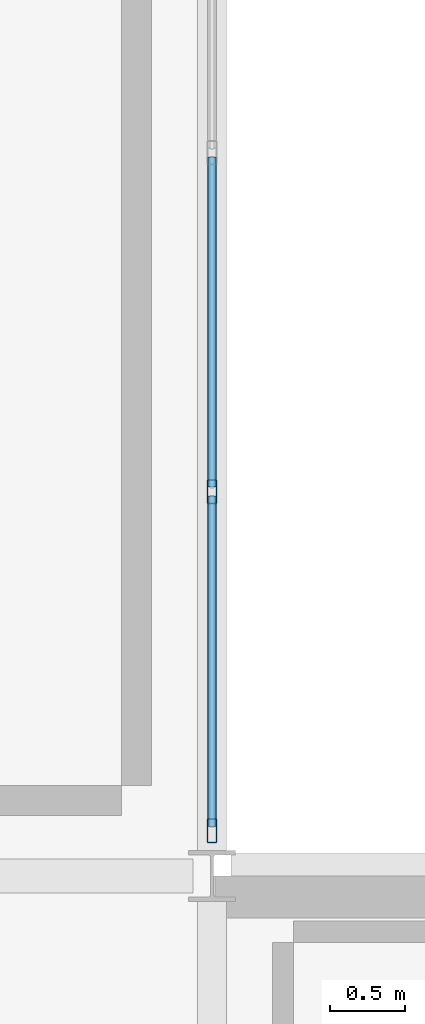
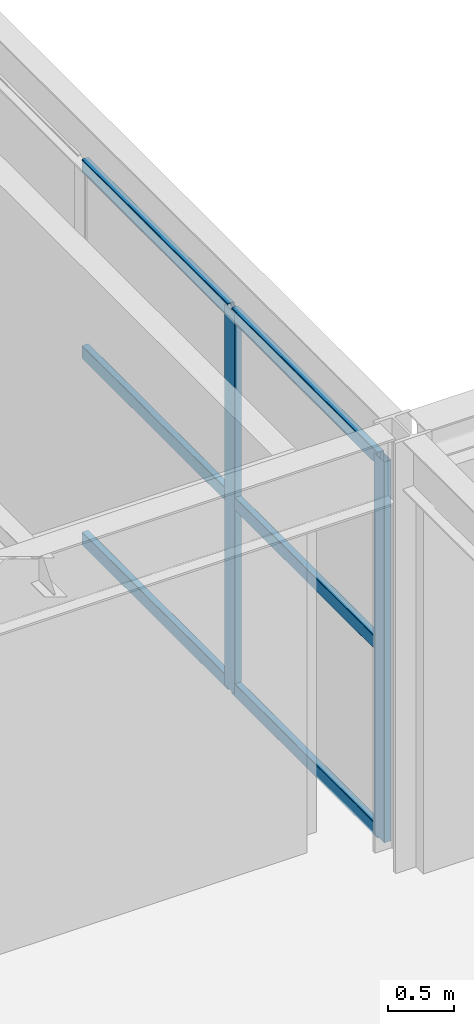
# One storey, part 20 of 126: 8 members, 1 element without a shape of its own.
"""IFC4 building model written with IfcOpenShell, lengths in metres."""

from ifc_helpers import new_model, si_unit, direction, frame, origin, origin_2d, place, context, subcontext, project, spatial, hollow_rectangle, extrude, material, material_profile, profile_set, type_object, element, aggregate, save


model = new_model("IFC4")

# Units and contexts
model_context = context("Model", 3, precision=1e-05, world=origin(), true_north=direction((0.0, 1.0)))
body_context = subcontext(model_context, "Body", "Model", "MODEL_VIEW")
ifc_project = project(units=[si_unit("LENGTHUNIT", "METRE"), si_unit("AREAUNIT", "SQUARE_METRE"), si_unit("VOLUMEUNIT", "CUBIC_METRE"), si_unit("PLANEANGLEUNIT", "RADIAN"), si_unit("MASSUNIT", "GRAM", prefix="KILO")], contexts=[model_context])

# Site, building, storey
site_placement = place(None, origin())
site = spatial("IfcSite", under=ifc_project, at=site_placement, CompositionType="ELEMENT")
building_placement = place(site_placement, origin())
building = spatial("IfcBuilding", under=site, at=building_placement, Name="Coralgate Yard Interchange", CompositionType="ELEMENT")
storey_placement = place(building_placement, frame((0.0, 0.0, 10.5)))
storey = spatial("IfcBuildingStorey", under=building, at=storey_placement, Name="L02", CompositionType="ELEMENT", Elevation=10.5)

# Curtain wall, members
ifc_material_1 = material(Name="Anodised coastal aluminium and solar-control low-E glass", Category="aluminium")
curtain_wall_type = type_object("IfcCurtainWallType", Name="CW-CW-L02-A", PredefinedType="NOTDEFINED", material=ifc_material_1)
curtain_wall_placement = place(storey_placement, origin())
curtain_wall = element("IfcCurtainWall", 1, at=curtain_wall_placement, inside=storey, type_object=curtain_wall_type, Name="L02 unitised curtain wall CW-L02-E-02-02", PredefinedType="NOTDEFINED")
ifc_material_2 = material(Name="Anodised coastal aluminium 6063-T6", Category="aluminium")
ifc_material_profile_1 = material_profile(ifc_material_2, hollow_rectangle(XDim=0.06494140625, YDim=0.159912109375, WallThickness=0.00390625, InnerFilletRadius=0.00390625, OuterFilletRadius=0.008056640625, at=origin_2d()), Name="ALU 65x160x4")
ifc_profile_set_1 = profile_set([ifc_material_profile_1], Name="Anodised coastal aluminium 6063-T6")
member_type_1 = type_object("IfcMemberType", Name="MB-MUL-160", PredefinedType="MULLION", material=ifc_profile_set_1)
member_1_placement = place(storey_placement, frame((28.800048828125, 21.75, 0.0), z_axis=(0.0, 0.0, 1.0), x_axis=(1.0, 0.0, 0.0)))
member_1 = element("IfcMember", 2, at=member_1_placement, type_object=member_type_1, Name="CW-L02-E-02-02 vertical mullion 4", PredefinedType="MULLION", context=body_context, shape_type="SweptSolid", body=[
    extrude(hollow_rectangle(XDim=0.06494140625, YDim=0.159912109375, WallThickness=0.00390625, InnerFilletRadius=0.00390625, OuterFilletRadius=0.008056640625, at=origin_2d()), origin(), (0.0, 0.0, 1.0), 3.492919921875),
])
member_2_placement = place(storey_placement, frame((28.800048828125, 19.5, 0.0), z_axis=(0.0, 0.0, 1.0), x_axis=(1.0, 0.0, 0.0)))
member_2 = element("IfcMember", 3, at=member_2_placement, type_object=member_type_1, Name="CW-L02-E-02-02 vertical mullion 5", PredefinedType="MULLION", context=body_context, shape_type="SweptSolid", body=[
    extrude(hollow_rectangle(XDim=0.06494140625, YDim=0.159912109375, WallThickness=0.00390625, InnerFilletRadius=0.00390625, OuterFilletRadius=0.008056640625, at=origin_2d()), origin(), (0.0, 0.0, 1.0), 3.492919921875),
])
ifc_material_profile_2 = material_profile(ifc_material_2, hollow_rectangle(XDim=0.06005859375, YDim=0.1201171875, WallThickness=0.00341796875, InnerFilletRadius=0.00341796875, OuterFilletRadius=0.007080078125, at=origin_2d()), Name="ALU 60x120x3.5")
ifc_profile_set_2 = profile_set([ifc_material_profile_2], Name="Anodised coastal aluminium 6063-T6")
member_type_2 = type_object("IfcMemberType", Name="MB-TRN-120", PredefinedType="USERDEFINED", material=ifc_profile_set_2)
member_3_placement = place(storey_placement, frame((28.800048828125, 23.969970703125, 0.034912109375), z_axis=(0.0, -1.0, 0.0), x_axis=(1.0, 0.0, 0.0)))
member_3 = element("IfcMember", 4, at=member_3_placement, type_object=member_type_2, Name="CW-L02-E-02-02 horizontal transom 3-1", ObjectType="TRANSOM", PredefinedType="USERDEFINED", context=body_context, shape_type="SweptSolid", body=[
    extrude(hollow_rectangle(XDim=0.06005859375, YDim=0.1201171875, WallThickness=0.00341796875, InnerFilletRadius=0.00341796875, OuterFilletRadius=0.007080078125, at=origin_2d()), origin(), (0.0, 0.0, 1.0), 2.18994140625),
])
member_4_placement = place(storey_placement, frame((28.800048828125, 23.969970703125, 1.74658203125), z_axis=(0.0, -1.0, 0.0), x_axis=(1.0, 0.0, 0.0)))
member_4 = element("IfcMember", 5, at=member_4_placement, type_object=member_type_2, Name="CW-L02-E-02-02 horizontal transom 3-2", ObjectType="TRANSOM", PredefinedType="USERDEFINED", context=body_context, shape_type="SweptSolid", body=[
    extrude(hollow_rectangle(XDim=0.06005859375, YDim=0.1201171875, WallThickness=0.00341796875, InnerFilletRadius=0.00341796875, OuterFilletRadius=0.007080078125, at=origin_2d()), origin(), (0.0, 0.0, 1.0), 2.18994140625),
])
member_5_placement = place(storey_placement, frame((28.800048828125, 23.969970703125, 3.4580078125), z_axis=(0.0, -1.0, 0.0), x_axis=(1.0, 0.0, 0.0)))
member_5 = element("IfcMember", 6, at=member_5_placement, type_object=member_type_2, Name="CW-L02-E-02-02 horizontal transom 3-3", ObjectType="TRANSOM", PredefinedType="USERDEFINED", context=body_context, shape_type="SweptSolid", body=[
    extrude(hollow_rectangle(XDim=0.06005859375, YDim=0.1201171875, WallThickness=0.00341796875, InnerFilletRadius=0.00341796875, OuterFilletRadius=0.007080078125, at=origin_2d()), origin(), (0.0, 0.0, 1.0), 2.18994140625),
])
member_6_placement = place(storey_placement, frame((28.800048828125, 21.719970703125, 0.034912109375), z_axis=(0.0, -1.0, 0.0), x_axis=(1.0, 0.0, 0.0)))
member_6 = element("IfcMember", 7, at=member_6_placement, type_object=member_type_2, Name="CW-L02-E-02-02 horizontal transom 4-1", ObjectType="TRANSOM", PredefinedType="USERDEFINED", context=body_context, shape_type="SweptSolid", body=[
    extrude(hollow_rectangle(XDim=0.06005859375, YDim=0.1201171875, WallThickness=0.00341796875, InnerFilletRadius=0.00341796875, OuterFilletRadius=0.007080078125, at=origin_2d()), origin(), (0.0, 0.0, 1.0), 2.18994140625),
])
member_7_placement = place(storey_placement, frame((28.800048828125, 21.719970703125, 1.74658203125), z_axis=(0.0, -1.0, 0.0), x_axis=(1.0, 0.0, 0.0)))
member_7 = element("IfcMember", 8, at=member_7_placement, type_object=member_type_2, Name="CW-L02-E-02-02 horizontal transom 4-2", ObjectType="TRANSOM", PredefinedType="USERDEFINED", context=body_context, shape_type="SweptSolid", body=[
    extrude(hollow_rectangle(XDim=0.06005859375, YDim=0.1201171875, WallThickness=0.00341796875, InnerFilletRadius=0.00341796875, OuterFilletRadius=0.007080078125, at=origin_2d()), origin(), (0.0, 0.0, 1.0), 2.18994140625),
])
member_8_placement = place(storey_placement, frame((28.800048828125, 21.719970703125, 3.4580078125), z_axis=(0.0, -1.0, 0.0), x_axis=(1.0, 0.0, 0.0)))
member_8 = element("IfcMember", 9, at=member_8_placement, type_object=member_type_2, Name="CW-L02-E-02-02 horizontal transom 4-3", ObjectType="TRANSOM", PredefinedType="USERDEFINED", context=body_context, shape_type="SweptSolid", body=[
    extrude(hollow_rectangle(XDim=0.06005859375, YDim=0.1201171875, WallThickness=0.00341796875, InnerFilletRadius=0.00341796875, OuterFilletRadius=0.007080078125, at=origin_2d()), origin(), (0.0, 0.0, 1.0), 2.18994140625),
])
aggregate(curtain_wall, [member_1, member_2, member_3, member_4, member_5, member_6, member_7, member_8])

save(model, "model.ifc")
